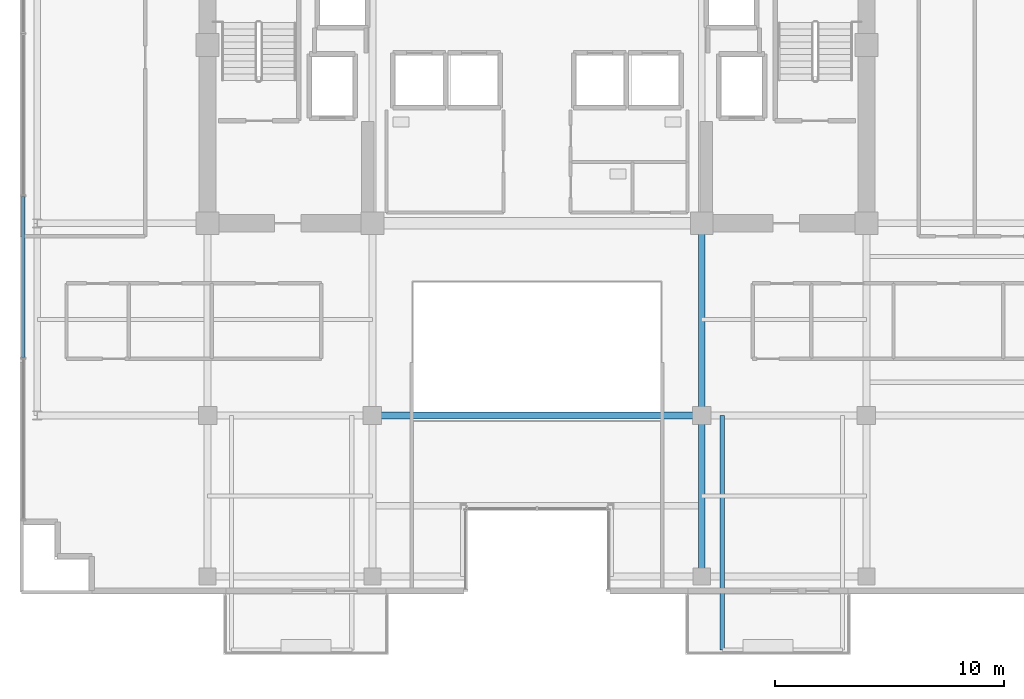
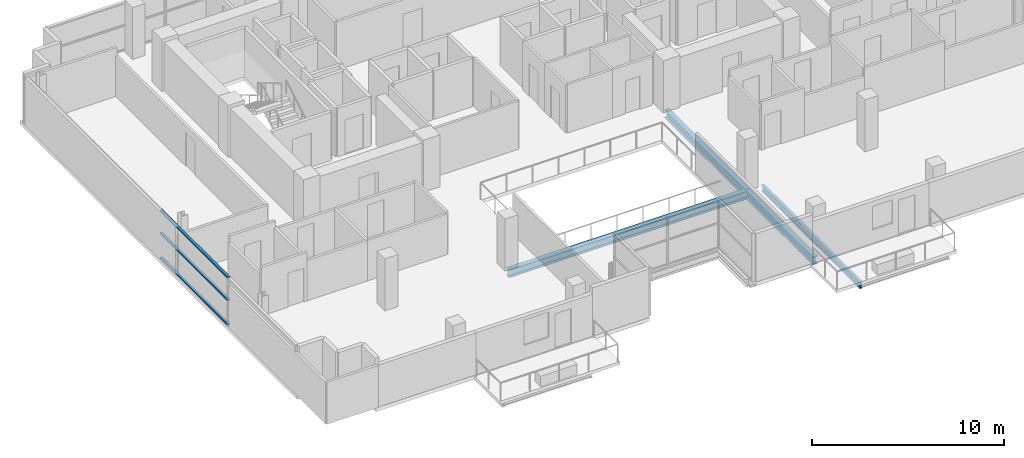
# One storey, part 6 of 21: 4 beams, 3 members, 1 element without a shape of its own.
"""IFC4 building model written with IfcOpenShell, lengths in metres."""

from ifc_helpers import new_model, si_unit, direction, frame, origin, origin_2d, place, context, subcontext, project, spatial, hollow_rectangle, i_section, extrude, source, transform, mapped, material, layer, layer_set, material_profile, profile_set, type_object, element, aggregate, save


model = new_model("IFC4")

# Units and contexts
model_context = context("Model", 3, precision=1e-05, world=origin(), true_north=direction((0.0, 1.0)))
body_context = subcontext(model_context, "Body", "Model", "MODEL_VIEW")
ifc_project = project(units=[si_unit("LENGTHUNIT", "METRE"), si_unit("AREAUNIT", "SQUARE_METRE"), si_unit("VOLUMEUNIT", "CUBIC_METRE"), si_unit("PLANEANGLEUNIT", "RADIAN"), si_unit("MASSUNIT", "GRAM", prefix="KILO")], contexts=[model_context])

# Site, building, storey
site_placement = place(None, origin())
site = spatial("IfcSite", under=ifc_project, at=site_placement, CompositionType="ELEMENT")
building_placement = place(site_placement, origin())
building = spatial("IfcBuilding", under=site, at=building_placement, Name="Zarnakvel Exchange Tower", CompositionType="ELEMENT")
storey_placement = place(building_placement, frame((0.0, 0.0, 189.10009765625)))
storey = spatial("IfcBuildingStorey", under=building, at=storey_placement, Name="L53", CompositionType="ELEMENT", Elevation=189.10009765625)

# Beams
ifc_material_1 = material(Name="Steel S355", Category="steel")
ifc_material_profile_1 = material_profile(ifc_material_1, i_section(OverallWidth=0.179931640625, OverallDepth=0.39990234375, WebThickness=0.008544921875, FlangeThickness=0.013427734375, FilletRadius=0.02099609375, at=origin_2d()))
ifc_profile_set_1 = profile_set([ifc_material_profile_1], Name="Steel S355")
beam_type_1 = type_object("IfcBeamType", Name="B-06", PredefinedType="JOIST", material=ifc_profile_set_1)
beam_1_placement = place(storey_placement, frame((8.10009765625, -9.60009765625, -0.425048828125), z_axis=(0.0, -1.0, 0.0), x_axis=(1.0, 0.0, 0.0)))
element("IfcBeam", 1, at=beam_1_placement, inside=storey, type_object=beam_type_1, Name="L53 Continuous Back-Spanned Balcony Beam W", PredefinedType="JOIST", context=body_context, shape_type="SweptSolid", body=[
    extrude(i_section(OverallWidth=0.179931640625, OverallDepth=0.39990234375, WebThickness=0.008544921875, FlangeThickness=0.013427734375, FilletRadius=0.02099609375, at=origin_2d()), origin(), (0.0, 0.0, 1.0), 10.25),
])
ifc_material_profile_2 = material_profile(ifc_material_1, i_section(OverallWidth=0.300048828125, OverallDepth=0.5, WebThickness=0.014404296875, FlangeThickness=0.028076171875, FilletRadius=0.027099609375, at=origin_2d()))
ifc_profile_set_2 = profile_set([ifc_material_profile_2], Name="Steel S355")
beam_type_2 = type_object("IfcBeamType", Name="G-06", PredefinedType="BEAM", material=ifc_profile_set_2)
beam_2_placement = place(storey_placement, frame((-7.199951171875, -9.60009765625, -0.47509765625), z_axis=(1.0, 0.0, 0.0), x_axis=(0.0, 1.0, 0.0)))
element("IfcBeam", 2, at=beam_2_placement, inside=storey, type_object=beam_type_2, Name="L53 Tower E-W Frame Beam", PredefinedType="BEAM", context=body_context, shape_type="SweptSolid", body=[
    extrude(i_section(OverallWidth=0.300048828125, OverallDepth=0.5, WebThickness=0.014404296875, FlangeThickness=0.028076171875, FilletRadius=0.027099609375, at=origin_2d()), origin(), (0.0, 0.0, 1.0), 14.39990234375),
])
beam_3_placement = place(storey_placement, frame((7.199951171875, -16.64990234375, -0.47509765625), z_axis=(0.0, 1.0, 0.0), x_axis=(-1.0, 0.0, 0.0)))
element("IfcBeam", 3, at=beam_3_placement, inside=storey, type_object=beam_type_2, Name="L53 Tower N-S Frame Beam", PredefinedType="BEAM", context=body_context, shape_type="SweptSolid", body=[
    extrude(i_section(OverallWidth=0.300048828125, OverallDepth=0.5, WebThickness=0.014404296875, FlangeThickness=0.028076171875, FilletRadius=0.027099609375, at=origin_2d()), origin(), (0.0, 0.0, 1.0), 7.0498046875),
])
beam_4_placement = place(storey_placement, frame((7.199951171875, -9.60009765625, -0.47509765625), z_axis=(0.0, 1.0, 0.0), x_axis=(-1.0, 0.0, 0.0)))
element("IfcBeam", 4, at=beam_4_placement, inside=storey, type_object=beam_type_2, Name="L53 Tower N-S Frame Beam", PredefinedType="BEAM", context=body_context, shape_type="SweptSolid", body=[
    extrude(i_section(OverallWidth=0.300048828125, OverallDepth=0.5, WebThickness=0.014404296875, FlangeThickness=0.028076171875, FilletRadius=0.027099609375, at=origin_2d()), origin(), (0.0, 0.0, 1.0), 8.400146484375),
])

# Curtain wall, members
ifc_material_2 = material(Name="Architectural Bronze Anodised Aluminium", Category="aluminium")
ifc_layer = layer(ifc_material_2, 0.199951171875)
ifc_layer_set = layer_set([ifc_layer], Name="Architectural Bronze Anodised Aluminium")
curtain_wall_type = type_object("IfcCurtainWallType", Name="CW-04", PredefinedType="NOTDEFINED", material=ifc_layer_set)
curtain_wall_placement = place(storey_placement, origin())
curtain_wall = element("IfcCurtainWall", 5, at=curtain_wall_placement, inside=storey, type_object=curtain_wall_type, Name="L53 Curtain Wall CW-L53-W1 (CW-04)", PredefinedType="NOTDEFINED")
ifc_material_profile_3 = material_profile(ifc_material_2, hollow_rectangle(XDim=0.159912109375, YDim=0.074951171875, WallThickness=0.00390625, at=origin_2d()))
ifc_profile_set_3 = profile_set([ifc_material_profile_3], Name="Architectural Bronze Anodised Aluminium")
member_type = type_object("IfcMemberType", Name="CWT-04", PredefinedType="USERDEFINED", material=ifc_profile_set_3)
shared_shape = source(origin(), body_context, "Body", "SweptSolid", [
    extrude(hollow_rectangle(XDim=0.159912109375, YDim=0.074951171875, WallThickness=0.00390625, at=origin_2d()), origin(), (0.0, 0.0, 1.0), 7.02490234375),
])
member_1_placement = place(storey_placement, frame((-22.4599609375, -7.0625, 0.037353515625), z_axis=(0.0, 1.0, 0.0), x_axis=(-1.0, 0.0, 0.0)))
member_1 = element("IfcMember", 6, at=member_1_placement, type_object=member_type, Name="CW-04 transom 2.1", ObjectType="TRANSOM", PredefinedType="USERDEFINED", context=body_context, shape_type="MappedRepresentation", body=[
    mapped(shared_shape, transform((0.0, 0.0, 0.0), x_axis=(1.0, 0.0, 0.0), y_axis=(0.0, 1.0, 0.0), z_axis=(0.0, 0.0, 1.0), scale=1.0)),
])
member_2_placement = place(storey_placement, frame((-22.4599609375, -7.0625, 1.588623046875), z_axis=(0.0, 1.0, 0.0), x_axis=(-1.0, 0.0, 0.0)))
member_2 = element("IfcMember", 7, at=member_2_placement, type_object=member_type, Name="CW-04 transom 2.2", ObjectType="TRANSOM", PredefinedType="USERDEFINED", context=body_context, shape_type="MappedRepresentation", body=[
    mapped(shared_shape, transform((0.0, 0.0, 0.0), x_axis=(1.0, 0.0, 0.0), y_axis=(0.0, 1.0, 0.0), z_axis=(0.0, 0.0, 1.0), scale=1.0)),
])
member_3_placement = place(storey_placement, frame((-22.4599609375, -7.0625, 3.017333984375), z_axis=(0.0, 1.0, 0.0), x_axis=(-1.0, 0.0, 0.0)))
member_3 = element("IfcMember", 8, at=member_3_placement, type_object=member_type, Name="CW-04 transom 2.3", ObjectType="TRANSOM", PredefinedType="USERDEFINED", context=body_context, shape_type="MappedRepresentation", body=[
    mapped(shared_shape, transform((0.0, 0.0, 0.0), x_axis=(1.0, 0.0, 0.0), y_axis=(0.0, 1.0, 0.0), z_axis=(0.0, 0.0, 1.0), scale=1.0)),
])
aggregate(curtain_wall, [member_1, member_2, member_3])

save(model, "model.ifc")
